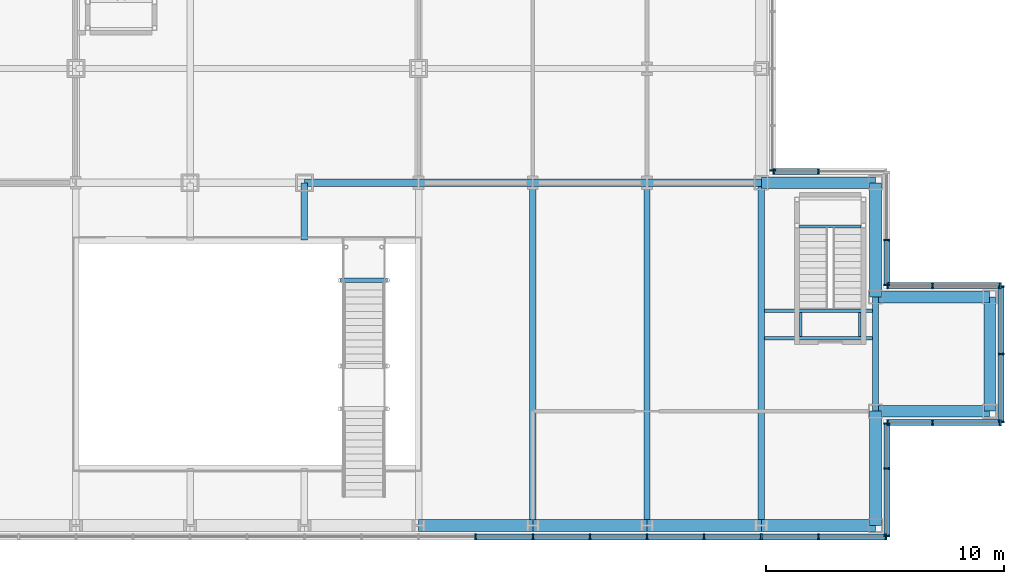
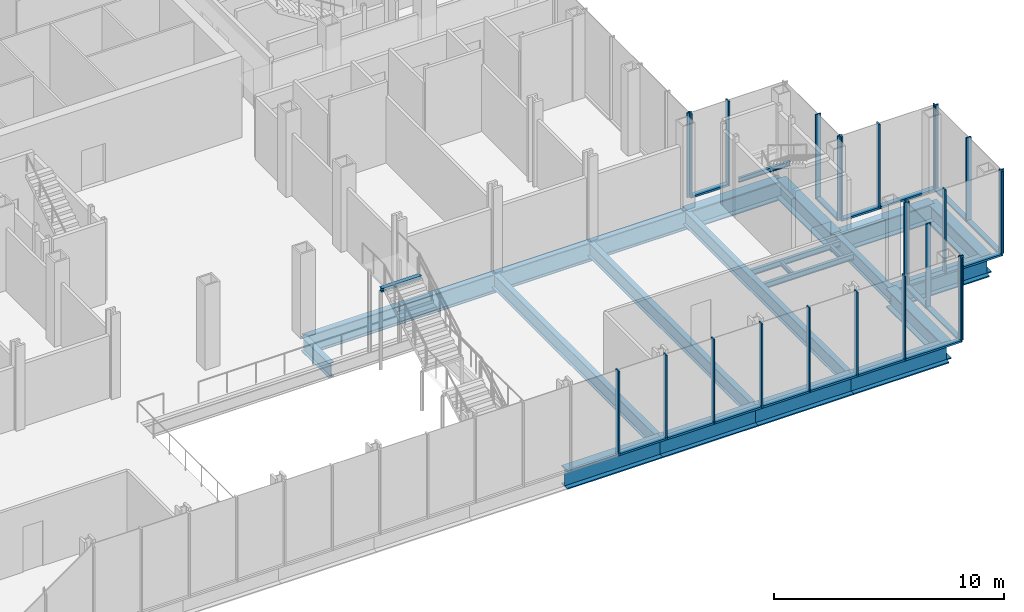
# One storey, part 13 of 28: 42 members, 25 beams, 8 elements without a shape of their own.
"""IFC4 building model written with IfcOpenShell, lengths in metres."""

from ifc_helpers import new_model, si_unit, direction, frame, origin, origin_2d, place, context, subcontext, project, spatial, rectangle, i_section, extrude, material, material_profile, profile_set, type_object, element, aggregate, save


model = new_model("IFC4")

# Units and contexts
model_context = context("Model", 3, precision=1e-05, world=origin(), true_north=direction((0.0, 1.0)))
body_context = subcontext(model_context, "Body", "Model", "MODEL_VIEW")
ifc_project = project(units=[si_unit("LENGTHUNIT", "METRE"), si_unit("AREAUNIT", "SQUARE_METRE"), si_unit("VOLUMEUNIT", "CUBIC_METRE"), si_unit("PLANEANGLEUNIT", "RADIAN"), si_unit("MASSUNIT", "GRAM", prefix="KILO")], contexts=[model_context])

# Site, building, storey
site_placement = place(None, origin())
site = spatial("IfcSite", under=ifc_project, at=site_placement, CompositionType="ELEMENT")
building_placement = place(site_placement, origin())
building = spatial("IfcBuilding", under=site, at=building_placement, Name="Kvirike Care Tower", CompositionType="ELEMENT")
storey_placement = place(building_placement, frame((0.0, 0.0, 4.5)))
storey = spatial("IfcBuildingStorey", under=building, at=storey_placement, Name="L01", CompositionType="ELEMENT", Elevation=4.5)

# Curtain wall, members
ifc_material_1 = material(Name="Anodised aluminium stick system", Category="aluminium")
curtain_wall_type = type_object("IfcCurtainWallType", Name="CW-P PODIUM STICK CURTAIN WALL", PredefinedType="NOTDEFINED", material=ifc_material_1)
curtain_wall_1_placement = place(storey_placement, origin())
curtain_wall_1 = element("IfcCurtainWall", 1, at=curtain_wall_1_placement, inside=storey, type_object=curtain_wall_type, Name="Curtain wall L01 face 1", PredefinedType="NOTDEFINED")
ifc_material_2 = material(Name="Bronze anodised aluminium mullion", Category="aluminium")
ifc_material_profile_1 = material_profile(ifc_material_2, rectangle(XDim=0.06494140625, YDim=0.25, at=origin_2d()), Name="CW-P MULLION 65x250")
ifc_profile_set_1 = profile_set([ifc_material_profile_1], Name="Bronze anodised aluminium mullion")
member_type_1 = type_object("IfcMemberType", Name="CW-P MULLION 65x250", PredefinedType="MULLION", material=ifc_profile_set_1)
member_1_placement = place(storey_placement, frame((31.199951171875, -0.47509765625, 0.0), z_axis=(0.0, 0.0, 1.0), x_axis=(1.0, 0.0, 0.0)))
member_1 = element("IfcMember", 2, at=member_1_placement, type_object=member_type_1, Name="CW-P mullion L01 face 1.16", PredefinedType="MULLION", context=body_context, shape_type="SweptSolid", body=[
    extrude(rectangle(XDim=0.06494140625, YDim=0.25, at=origin_2d()), origin(), (0.0, 0.0, 1.0), 4.5),
])
member_2_placement = place(storey_placement, frame((33.60009765625, -0.47509765625, 0.0), z_axis=(0.0, 0.0, 1.0), x_axis=(1.0, 0.0, 0.0)))
member_2 = element("IfcMember", 3, at=member_2_placement, type_object=member_type_1, Name="CW-P mullion L01 face 1.17", PredefinedType="MULLION", context=body_context, shape_type="SweptSolid", body=[
    extrude(rectangle(XDim=0.06494140625, YDim=0.25, at=origin_2d()), origin(), (0.0, 0.0, 1.0), 4.5),
])
member_3_placement = place(storey_placement, frame((36.0, -0.47509765625, 0.0), z_axis=(0.0, 0.0, 1.0), x_axis=(1.0, 0.0, 0.0)))
member_3 = element("IfcMember", 4, at=member_3_placement, type_object=member_type_1, Name="CW-P mullion L01 face 1.18", PredefinedType="MULLION", context=body_context, shape_type="SweptSolid", body=[
    extrude(rectangle(XDim=0.06494140625, YDim=0.25, at=origin_2d()), origin(), (0.0, 0.0, 1.0), 4.5),
])
member_4_placement = place(storey_placement, frame((38.39990234375, -0.47509765625, 0.0), z_axis=(0.0, 0.0, 1.0), x_axis=(1.0, 0.0, 0.0)))
member_4 = element("IfcMember", 5, at=member_4_placement, type_object=member_type_1, Name="CW-P mullion L01 face 1.19", PredefinedType="MULLION", context=body_context, shape_type="SweptSolid", body=[
    extrude(rectangle(XDim=0.06494140625, YDim=0.25, at=origin_2d()), origin(), (0.0, 0.0, 1.0), 4.5),
])
member_5_placement = place(storey_placement, frame((40.800048828125, -0.47509765625, 0.0), z_axis=(0.0, 0.0, 1.0), x_axis=(1.0, 0.0, 0.0)))
member_5 = element("IfcMember", 6, at=member_5_placement, type_object=member_type_1, Name="CW-P mullion L01 face 1.20", PredefinedType="MULLION", context=body_context, shape_type="SweptSolid", body=[
    extrude(rectangle(XDim=0.06494140625, YDim=0.25, at=origin_2d()), origin(), (0.0, 0.0, 1.0), 4.5),
])
member_6_placement = place(storey_placement, frame((43.199951171875, -0.47509765625, 0.0), z_axis=(0.0, 0.0, 1.0), x_axis=(1.0, 0.0, 0.0)))
member_6 = element("IfcMember", 7, at=member_6_placement, type_object=member_type_1, Name="CW-P mullion L01 face 1.21", PredefinedType="MULLION", context=body_context, shape_type="SweptSolid", body=[
    extrude(rectangle(XDim=0.06494140625, YDim=0.25, at=origin_2d()), origin(), (0.0, 0.0, 1.0), 4.5),
])
member_7_placement = place(storey_placement, frame((45.60009765625, -0.47509765625, 0.0), z_axis=(0.0, 0.0, 1.0), x_axis=(1.0, 0.0, 0.0)))
member_7 = element("IfcMember", 8, at=member_7_placement, type_object=member_type_1, Name="CW-P mullion L01 face 1.22", PredefinedType="MULLION", context=body_context, shape_type="SweptSolid", body=[
    extrude(rectangle(XDim=0.06494140625, YDim=0.25, at=origin_2d()), origin(), (0.0, 0.0, 1.0), 4.5),
])
member_8_placement = place(storey_placement, frame((48.4423828125, -0.47509765625, 0.0), z_axis=(0.0, 0.0, 1.0), x_axis=(1.0, 0.0, 0.0)))
member_8 = element("IfcMember", 9, at=member_8_placement, type_object=member_type_1, Name="CW-P mullion L01 face 1.23", PredefinedType="MULLION", context=body_context, shape_type="SweptSolid", body=[
    extrude(rectangle(XDim=0.06494140625, YDim=0.25, at=origin_2d()), origin(), (0.0, 0.0, 1.0), 4.5),
])

curtain_wall_2_placement = place(storey_placement, origin())
curtain_wall_2 = element("IfcCurtainWall", 10, at=curtain_wall_2_placement, inside=storey, type_object=curtain_wall_type, Name="Curtain wall L01 face 2", PredefinedType="NOTDEFINED")
member_9_placement = place(storey_placement, frame((48.47509765625, -0.4423828125, 0.0), z_axis=(0.0, 0.0, 1.0), x_axis=(0.0, 1.0, 0.0)))
member_9 = element("IfcMember", 11, at=member_9_placement, type_object=member_type_1, Name="CW-P mullion L01 face 2.1", PredefinedType="MULLION", context=body_context, shape_type="SweptSolid", body=[
    extrude(rectangle(XDim=0.06494140625, YDim=0.25, at=origin_2d()), origin(), (0.0, 0.0, 1.0), 4.5),
])
member_10_placement = place(storey_placement, frame((48.47509765625, 2.39990234375, 0.0), z_axis=(0.0, 0.0, 1.0), x_axis=(0.0, 1.0, 0.0)))
member_10 = element("IfcMember", 12, at=member_10_placement, type_object=member_type_1, Name="CW-P mullion L01 face 2.2", PredefinedType="MULLION", context=body_context, shape_type="SweptSolid", body=[
    extrude(rectangle(XDim=0.06494140625, YDim=0.25, at=origin_2d()), origin(), (0.0, 0.0, 1.0), 4.5),
])
member_11_placement = place(storey_placement, frame((48.47509765625, 4.29248046875, 0.0), z_axis=(0.0, 0.0, 1.0), x_axis=(0.0, 1.0, 0.0)))
member_11 = element("IfcMember", 13, at=member_11_placement, type_object=member_type_1, Name="CW-P mullion L01 face 2.3", PredefinedType="MULLION", context=body_context, shape_type="SweptSolid", body=[
    extrude(rectangle(XDim=0.06494140625, YDim=0.25, at=origin_2d()), origin(), (0.0, 0.0, 1.0), 4.5),
])

curtain_wall_3_placement = place(storey_placement, origin())
curtain_wall_3 = element("IfcCurtainWall", 14, at=curtain_wall_3_placement, inside=storey, type_object=curtain_wall_type, Name="Curtain wall L01 face 3", PredefinedType="NOTDEFINED")
member_12_placement = place(storey_placement, frame((48.507568359375, 4.324951171875, 0.0), z_axis=(0.0, 0.0, 1.0), x_axis=(1.0, 0.0, 0.0)))
member_12 = element("IfcMember", 15, at=member_12_placement, type_object=member_type_1, Name="CW-P mullion L01 face 3.1", PredefinedType="MULLION", context=body_context, shape_type="SweptSolid", body=[
    extrude(rectangle(XDim=0.06494140625, YDim=0.25, at=origin_2d()), origin(), (0.0, 0.0, 1.0), 4.5),
])
member_13_placement = place(storey_placement, frame((50.39990234375, 4.324951171875, 0.0), z_axis=(0.0, 0.0, 1.0), x_axis=(1.0, 0.0, 0.0)))
member_13 = element("IfcMember", 16, at=member_13_placement, type_object=member_type_1, Name="CW-P mullion L01 face 3.2", PredefinedType="MULLION", context=body_context, shape_type="SweptSolid", body=[
    extrude(rectangle(XDim=0.06494140625, YDim=0.25, at=origin_2d()), origin(), (0.0, 0.0, 1.0), 4.5),
])
member_14_placement = place(storey_placement, frame((53.242431640625, 4.324951171875, 0.0), z_axis=(0.0, 0.0, 1.0), x_axis=(1.0, 0.0, 0.0)))
member_14 = element("IfcMember", 17, at=member_14_placement, type_object=member_type_1, Name="CW-P mullion L01 face 3.3", PredefinedType="MULLION", context=body_context, shape_type="SweptSolid", body=[
    extrude(rectangle(XDim=0.06494140625, YDim=0.25, at=origin_2d()), origin(), (0.0, 0.0, 1.0), 4.5),
])

curtain_wall_4_placement = place(storey_placement, origin())
curtain_wall_4 = element("IfcCurtainWall", 18, at=curtain_wall_4_placement, inside=storey, type_object=curtain_wall_type, Name="Curtain wall L01 face 4", PredefinedType="NOTDEFINED")
member_15_placement = place(storey_placement, frame((53.27490234375, 4.357421875, 0.0), z_axis=(0.0, 0.0, 1.0), x_axis=(0.0, 1.0, 0.0)))
member_15 = element("IfcMember", 19, at=member_15_placement, type_object=member_type_1, Name="CW-P mullion L01 face 4.1", PredefinedType="MULLION", context=body_context, shape_type="SweptSolid", body=[
    extrude(rectangle(XDim=0.06494140625, YDim=0.25, at=origin_2d()), origin(), (0.0, 0.0, 1.0), 4.5),
])
member_16_placement = place(storey_placement, frame((53.27490234375, 7.199951171875, 0.0), z_axis=(0.0, 0.0, 1.0), x_axis=(0.0, 1.0, 0.0)))
member_16 = element("IfcMember", 20, at=member_16_placement, type_object=member_type_1, Name="CW-P mullion L01 face 4.2", PredefinedType="MULLION", context=body_context, shape_type="SweptSolid", body=[
    extrude(rectangle(XDim=0.06494140625, YDim=0.25, at=origin_2d()), origin(), (0.0, 0.0, 1.0), 4.5),
])
member_17_placement = place(storey_placement, frame((53.27490234375, 10.04248046875, 0.0), z_axis=(0.0, 0.0, 1.0), x_axis=(0.0, 1.0, 0.0)))
member_17 = element("IfcMember", 21, at=member_17_placement, type_object=member_type_1, Name="CW-P mullion L01 face 4.3", PredefinedType="MULLION", context=body_context, shape_type="SweptSolid", body=[
    extrude(rectangle(XDim=0.06494140625, YDim=0.25, at=origin_2d()), origin(), (0.0, 0.0, 1.0), 4.5),
])

curtain_wall_5_placement = place(storey_placement, origin())
curtain_wall_5 = element("IfcCurtainWall", 22, at=curtain_wall_5_placement, inside=storey, type_object=curtain_wall_type, Name="Curtain wall L01 face 5", PredefinedType="NOTDEFINED")
member_18_placement = place(storey_placement, frame((53.242431640625, 10.074951171875, 0.0), z_axis=(0.0, 0.0, 1.0), x_axis=(-1.0, 0.0, 0.0)))
member_18 = element("IfcMember", 23, at=member_18_placement, type_object=member_type_1, Name="CW-P mullion L01 face 5.1", PredefinedType="MULLION", context=body_context, shape_type="SweptSolid", body=[
    extrude(rectangle(XDim=0.06494140625, YDim=0.25, at=origin_2d()), origin(), (0.0, 0.0, 1.0), 4.5),
])
member_19_placement = place(storey_placement, frame((50.39990234375, 10.074951171875, 0.0), z_axis=(0.0, 0.0, 1.0), x_axis=(-1.0, 0.0, 0.0)))
member_19 = element("IfcMember", 24, at=member_19_placement, type_object=member_type_1, Name="CW-P mullion L01 face 5.2", PredefinedType="MULLION", context=body_context, shape_type="SweptSolid", body=[
    extrude(rectangle(XDim=0.06494140625, YDim=0.25, at=origin_2d()), origin(), (0.0, 0.0, 1.0), 4.5),
])
member_20_placement = place(storey_placement, frame((48.507568359375, 10.074951171875, 0.0), z_axis=(0.0, 0.0, 1.0), x_axis=(-1.0, 0.0, 0.0)))
member_20 = element("IfcMember", 25, at=member_20_placement, type_object=member_type_1, Name="CW-P mullion L01 face 5.3", PredefinedType="MULLION", context=body_context, shape_type="SweptSolid", body=[
    extrude(rectangle(XDim=0.06494140625, YDim=0.25, at=origin_2d()), origin(), (0.0, 0.0, 1.0), 4.5),
])

curtain_wall_6_placement = place(storey_placement, origin())
curtain_wall_6 = element("IfcCurtainWall", 26, at=curtain_wall_6_placement, inside=storey, type_object=curtain_wall_type, Name="Curtain wall L01 face 6", PredefinedType="NOTDEFINED")
member_21_placement = place(storey_placement, frame((48.47509765625, 10.107421875, 0.0), z_axis=(0.0, 0.0, 1.0), x_axis=(0.0, 1.0, 0.0)))
member_21 = element("IfcMember", 27, at=member_21_placement, type_object=member_type_1, Name="CW-P mullion L01 face 6.1", PredefinedType="MULLION", context=body_context, shape_type="SweptSolid", body=[
    extrude(rectangle(XDim=0.06494140625, YDim=0.25, at=origin_2d()), origin(), (0.0, 0.0, 1.0), 4.5),
])
member_22_placement = place(storey_placement, frame((48.47509765625, 12.0, 0.0), z_axis=(0.0, 0.0, 1.0), x_axis=(0.0, 1.0, 0.0)))
member_22 = element("IfcMember", 28, at=member_22_placement, type_object=member_type_1, Name="CW-P mullion L01 face 6.2", PredefinedType="MULLION", context=body_context, shape_type="SweptSolid", body=[
    extrude(rectangle(XDim=0.06494140625, YDim=0.25, at=origin_2d()), origin(), (0.0, 0.0, 1.0), 4.5),
])

curtain_wall_7_placement = place(storey_placement, origin())
curtain_wall_7 = element("IfcCurtainWall", 29, at=curtain_wall_7_placement, inside=storey, type_object=curtain_wall_type, Name="Curtain wall L01 face 7", PredefinedType="NOTDEFINED")
member_23_placement = place(storey_placement, frame((45.60009765625, 14.875, 0.0), z_axis=(0.0, 0.0, 1.0), x_axis=(-1.0, 0.0, 0.0)))
member_23 = element("IfcMember", 30, at=member_23_placement, type_object=member_type_1, Name="CW-P mullion L01 face 7.2", PredefinedType="MULLION", context=body_context, shape_type="SweptSolid", body=[
    extrude(rectangle(XDim=0.06494140625, YDim=0.25, at=origin_2d()), origin(), (0.0, 0.0, 1.0), 4.5),
])
member_24_placement = place(storey_placement, frame((43.70751953125, 14.875, 0.0), z_axis=(0.0, 0.0, 1.0), x_axis=(-1.0, 0.0, 0.0)))
member_24 = element("IfcMember", 31, at=member_24_placement, type_object=member_type_1, Name="CW-P mullion L01 face 7.3", PredefinedType="MULLION", context=body_context, shape_type="SweptSolid", body=[
    extrude(rectangle(XDim=0.06494140625, YDim=0.25, at=origin_2d()), origin(), (0.0, 0.0, 1.0), 4.5),
])

# Curtain wall, member
curtain_wall_8_placement = place(storey_placement, origin())
curtain_wall_8 = element("IfcCurtainWall", 32, at=curtain_wall_8_placement, inside=storey, type_object=curtain_wall_type, Name="Curtain wall L01 face 8", PredefinedType="NOTDEFINED")
member_25_placement = place(storey_placement, frame((43.675048828125, 14.907470703125, 0.0), z_axis=(0.0, 0.0, 1.0), x_axis=(0.0, 1.0, 0.0)))
member_25 = element("IfcMember", 33, at=member_25_placement, type_object=member_type_1, Name="CW-P mullion L01 face 8.1", PredefinedType="MULLION", context=body_context, shape_type="SweptSolid", body=[
    extrude(rectangle(XDim=0.06494140625, YDim=0.25, at=origin_2d()), origin(), (0.0, 0.0, 1.0), 4.5),
])
aggregate(curtain_wall_8, [member_25])

# Member
ifc_material_3 = material(Name="Bronze anodised aluminium transom", Category="aluminium")
ifc_material_profile_2 = material_profile(ifc_material_3, rectangle(XDim=0.25, YDim=0.10009765625, at=origin_2d()), Name="CW-P TRANSOM 250x100")
ifc_profile_set_2 = profile_set([ifc_material_profile_2], Name="Bronze anodised aluminium transom")
member_type_2 = type_object("IfcMemberType", Name="CW-P TRANSOM 250x100", PredefinedType="USERDEFINED", material=ifc_profile_set_2)
member_26_placement = place(storey_placement, frame((31.232421875, -0.47509765625, 0.050048828125), z_axis=(1.0, 0.0, 0.0), x_axis=(0.0, 1.0, 0.0)))
member_26 = element("IfcMember", 34, at=member_26_placement, type_object=member_type_2, Name="CW-P sill transom L01 face 1.16", ObjectType="TRANSOM", PredefinedType="USERDEFINED", context=body_context, shape_type="SweptSolid", body=[
    extrude(rectangle(XDim=0.25, YDim=0.10009765625, at=origin_2d()), origin(), (0.0, 0.0, 1.0), 2.3349609375),
])

member_27_placement = place(storey_placement, frame((33.632568359375, -0.47509765625, 0.050048828125), z_axis=(1.0, 0.0, 0.0), x_axis=(0.0, 1.0, 0.0)))
member_27 = element("IfcMember", 35, at=member_27_placement, type_object=member_type_2, Name="CW-P sill transom L01 face 1.17", ObjectType="TRANSOM", PredefinedType="USERDEFINED", context=body_context, shape_type="SweptSolid", body=[
    extrude(rectangle(XDim=0.25, YDim=0.10009765625, at=origin_2d()), origin(), (0.0, 0.0, 1.0), 2.3349609375),
])

member_28_placement = place(storey_placement, frame((36.032470703125, -0.47509765625, 0.050048828125), z_axis=(1.0, 0.0, 0.0), x_axis=(0.0, 1.0, 0.0)))
member_28 = element("IfcMember", 36, at=member_28_placement, type_object=member_type_2, Name="CW-P sill transom L01 face 1.18", ObjectType="TRANSOM", PredefinedType="USERDEFINED", context=body_context, shape_type="SweptSolid", body=[
    extrude(rectangle(XDim=0.25, YDim=0.10009765625, at=origin_2d()), origin(), (0.0, 0.0, 1.0), 2.3349609375),
])

member_29_placement = place(storey_placement, frame((38.4326171875, -0.47509765625, 0.050048828125), z_axis=(1.0, 0.0, 0.0), x_axis=(0.0, 1.0, 0.0)))
member_29 = element("IfcMember", 37, at=member_29_placement, type_object=member_type_2, Name="CW-P sill transom L01 face 1.19", ObjectType="TRANSOM", PredefinedType="USERDEFINED", context=body_context, shape_type="SweptSolid", body=[
    extrude(rectangle(XDim=0.25, YDim=0.10009765625, at=origin_2d()), origin(), (0.0, 0.0, 1.0), 2.3349609375),
])

member_30_placement = place(storey_placement, frame((40.83251953125, -0.47509765625, 0.050048828125), z_axis=(1.0, 0.0, 0.0), x_axis=(0.0, 1.0, 0.0)))
member_30 = element("IfcMember", 38, at=member_30_placement, type_object=member_type_2, Name="CW-P sill transom L01 face 1.20", ObjectType="TRANSOM", PredefinedType="USERDEFINED", context=body_context, shape_type="SweptSolid", body=[
    extrude(rectangle(XDim=0.25, YDim=0.10009765625, at=origin_2d()), origin(), (0.0, 0.0, 1.0), 2.3349609375),
])

member_31_placement = place(storey_placement, frame((43.232421875, -0.47509765625, 0.050048828125), z_axis=(1.0, 0.0, 0.0), x_axis=(0.0, 1.0, 0.0)))
member_31 = element("IfcMember", 39, at=member_31_placement, type_object=member_type_2, Name="CW-P sill transom L01 face 1.21", ObjectType="TRANSOM", PredefinedType="USERDEFINED", context=body_context, shape_type="SweptSolid", body=[
    extrude(rectangle(XDim=0.25, YDim=0.10009765625, at=origin_2d()), origin(), (0.0, 0.0, 1.0), 2.3349609375),
])

member_32_placement = place(storey_placement, frame((45.632568359375, -0.47509765625, 0.050048828125), z_axis=(1.0, 0.0, 0.0), x_axis=(0.0, 1.0, 0.0)))
member_32 = element("IfcMember", 40, at=member_32_placement, type_object=member_type_2, Name="CW-P sill transom L01 face 1.22", ObjectType="TRANSOM", PredefinedType="USERDEFINED", context=body_context, shape_type="SweptSolid", body=[
    extrude(rectangle(XDim=0.25, YDim=0.10009765625, at=origin_2d()), origin(), (0.0, 0.0, 1.0), 2.77734375),
])

aggregate(curtain_wall_1, [member_1, member_2, member_3, member_4, member_5, member_6, member_7, member_8, member_26, member_27, member_28, member_29, member_30, member_31, member_32])

member_33_placement = place(storey_placement, frame((48.47509765625, -0.409912109375, 0.050048828125), z_axis=(0.0, 1.0, 0.0), x_axis=(-1.0, 0.0, 0.0)))
member_33 = element("IfcMember", 41, at=member_33_placement, type_object=member_type_2, Name="CW-P sill transom L01 face 2.1", ObjectType="TRANSOM", PredefinedType="USERDEFINED", context=body_context, shape_type="SweptSolid", body=[
    extrude(rectangle(XDim=0.25, YDim=0.10009765625, at=origin_2d()), origin(), (0.0, 0.0, 1.0), 2.77734375),
])

member_34_placement = place(storey_placement, frame((48.47509765625, 2.4326171875, 0.050048828125), z_axis=(0.0, 1.0, 0.0), x_axis=(-1.0, 0.0, 0.0)))
member_34 = element("IfcMember", 42, at=member_34_placement, type_object=member_type_2, Name="CW-P sill transom L01 face 2.2", ObjectType="TRANSOM", PredefinedType="USERDEFINED", context=body_context, shape_type="SweptSolid", body=[
    extrude(rectangle(XDim=0.25, YDim=0.10009765625, at=origin_2d()), origin(), (0.0, 0.0, 1.0), 1.827392578125),
])

aggregate(curtain_wall_2, [member_9, member_10, member_11, member_33, member_34])

member_35_placement = place(storey_placement, frame((48.5400390625, 4.324951171875, 0.050048828125), z_axis=(1.0, 0.0, 0.0), x_axis=(0.0, 1.0, 0.0)))
member_35 = element("IfcMember", 43, at=member_35_placement, type_object=member_type_2, Name="CW-P sill transom L01 face 3.1", ObjectType="TRANSOM", PredefinedType="USERDEFINED", context=body_context, shape_type="SweptSolid", body=[
    extrude(rectangle(XDim=0.25, YDim=0.10009765625, at=origin_2d()), origin(), (0.0, 0.0, 1.0), 1.827392578125),
])

member_36_placement = place(storey_placement, frame((50.4326171875, 4.324951171875, 0.050048828125), z_axis=(1.0, 0.0, 0.0), x_axis=(0.0, 1.0, 0.0)))
member_36 = element("IfcMember", 44, at=member_36_placement, type_object=member_type_2, Name="CW-P sill transom L01 face 3.2", ObjectType="TRANSOM", PredefinedType="USERDEFINED", context=body_context, shape_type="SweptSolid", body=[
    extrude(rectangle(XDim=0.25, YDim=0.10009765625, at=origin_2d()), origin(), (0.0, 0.0, 1.0), 2.77734375),
])

aggregate(curtain_wall_3, [member_12, member_13, member_14, member_35, member_36])

member_37_placement = place(storey_placement, frame((53.27490234375, 4.389892578125, 0.050048828125), z_axis=(0.0, 1.0, 0.0), x_axis=(-1.0, 0.0, 0.0)))
member_37 = element("IfcMember", 45, at=member_37_placement, type_object=member_type_2, Name="CW-P sill transom L01 face 4.1", ObjectType="TRANSOM", PredefinedType="USERDEFINED", context=body_context, shape_type="SweptSolid", body=[
    extrude(rectangle(XDim=0.25, YDim=0.10009765625, at=origin_2d()), origin(), (0.0, 0.0, 1.0), 2.777587890625),
])

member_38_placement = place(storey_placement, frame((53.27490234375, 7.232421875, 0.050048828125), z_axis=(0.0, 1.0, 0.0), x_axis=(-1.0, 0.0, 0.0)))
member_38 = element("IfcMember", 46, at=member_38_placement, type_object=member_type_2, Name="CW-P sill transom L01 face 4.2", ObjectType="TRANSOM", PredefinedType="USERDEFINED", context=body_context, shape_type="SweptSolid", body=[
    extrude(rectangle(XDim=0.25, YDim=0.10009765625, at=origin_2d()), origin(), (0.0, 0.0, 1.0), 2.777587890625),
])

aggregate(curtain_wall_4, [member_15, member_16, member_17, member_37, member_38])

member_39_placement = place(storey_placement, frame((53.2099609375, 10.074951171875, 0.050048828125), z_axis=(-1.0, 0.0, 0.0), x_axis=(0.0, -1.0, 0.0)))
member_39 = element("IfcMember", 47, at=member_39_placement, type_object=member_type_2, Name="CW-P sill transom L01 face 5.1", ObjectType="TRANSOM", PredefinedType="USERDEFINED", context=body_context, shape_type="SweptSolid", body=[
    extrude(rectangle(XDim=0.25, YDim=0.10009765625, at=origin_2d()), origin(), (0.0, 0.0, 1.0), 2.77734375),
])

member_40_placement = place(storey_placement, frame((50.367431640625, 10.074951171875, 0.050048828125), z_axis=(-1.0, 0.0, 0.0), x_axis=(0.0, -1.0, 0.0)))
member_40 = element("IfcMember", 48, at=member_40_placement, type_object=member_type_2, Name="CW-P sill transom L01 face 5.2", ObjectType="TRANSOM", PredefinedType="USERDEFINED", context=body_context, shape_type="SweptSolid", body=[
    extrude(rectangle(XDim=0.25, YDim=0.10009765625, at=origin_2d()), origin(), (0.0, 0.0, 1.0), 1.827392578125),
])

aggregate(curtain_wall_5, [member_18, member_19, member_20, member_39, member_40])

member_41_placement = place(storey_placement, frame((48.47509765625, 10.139892578125, 0.050048828125), z_axis=(0.0, 1.0, 0.0), x_axis=(-1.0, 0.0, 0.0)))
member_41 = element("IfcMember", 49, at=member_41_placement, type_object=member_type_2, Name="CW-P sill transom L01 face 6.1", ObjectType="TRANSOM", PredefinedType="USERDEFINED", context=body_context, shape_type="SweptSolid", body=[
    extrude(rectangle(XDim=0.25, YDim=0.10009765625, at=origin_2d()), origin(), (0.0, 0.0, 1.0), 1.82763671875),
])

aggregate(curtain_wall_6, [member_21, member_22, member_41])

member_42_placement = place(storey_placement, frame((45.5673828125, 14.875, 0.050048828125), z_axis=(-1.0, 0.0, 0.0), x_axis=(0.0, -1.0, 0.0)))
member_42 = element("IfcMember", 50, at=member_42_placement, type_object=member_type_2, Name="CW-P sill transom L01 face 7.2", ObjectType="TRANSOM", PredefinedType="USERDEFINED", context=body_context, shape_type="SweptSolid", body=[
    extrude(rectangle(XDim=0.25, YDim=0.10009765625, at=origin_2d()), origin(), (0.0, 0.0, 1.0), 1.827392578125),
])

aggregate(curtain_wall_7, [member_23, member_24, member_42])

# Beams
ifc_material_4 = material(Name="Steel S355", Category="steel")
ifc_material_profile_3 = material_profile(ifc_material_4, i_section(OverallWidth=0.199951171875, OverallDepth=0.199951171875, WebThickness=0.009033203125, FlangeThickness=0.014892578125, FilletRadius=0.01806640625, at=origin_2d()), Name="HE 200 B")
ifc_profile_set_3 = profile_set([ifc_material_profile_3], Name="Steel S355")
beam_type_1 = type_object("IfcBeamType", Name="FEATURE STAIR TRIMMER HE 200 B", PredefinedType="BEAM", material=ifc_profile_set_3)
beam_1_placement = place(storey_placement, frame((25.5, 10.300048828125, 4.22998046875), z_axis=(1.0, 0.0, 0.0), x_axis=(0.0, 1.0, 0.0)))
element("IfcBeam", 51, at=beam_1_placement, inside=storey, type_object=beam_type_1, Name="Feature stair FB landing trimmer T", PredefinedType="BEAM", context=body_context, shape_type="SweptSolid", body=[
    extrude(i_section(OverallWidth=0.199951171875, OverallDepth=0.199951171875, WebThickness=0.009033203125, FlangeThickness=0.014892578125, FilletRadius=0.01806640625, at=origin_2d()), origin(), (0.0, 0.0, 1.0), 2.0),
])
ifc_material_5 = material(Name="Steel S355", Category="steel")
ifc_material_profile_4 = material_profile(ifc_material_5, i_section(OverallWidth=0.26806640625, OverallDepth=0.77001953125, WebThickness=0.015625, FlangeThickness=0.025390625, FilletRadius=0.01708984375, at=origin_2d()), Name="IPE 750x196")
ifc_profile_set_4 = profile_set([ifc_material_profile_4], Name="Steel S355")
beam_type_2 = type_object("IfcBeamType", Name="FLOOR BEAM IPE 750x196", PredefinedType="BEAM", material=ifc_profile_set_4)
beam_2_placement = place(storey_placement, frame((24.0, 12.0, -0.554931640625), z_axis=(0.0, 1.0, 0.0), x_axis=(-1.0, 0.0, 0.0)))
element("IfcBeam", 52, at=beam_2_placement, inside=storey, type_object=beam_type_2, Name="Floor Beam 24.00/12.00-D8 L01", PredefinedType="BEAM", context=body_context, shape_type="SweptSolid", body=[
    extrude(i_section(OverallWidth=0.26806640625, OverallDepth=0.77001953125, WebThickness=0.015625, FlangeThickness=0.025390625, FilletRadius=0.01708984375, at=origin_2d()), origin(), (0.0, 0.0, 1.0), 2.39990234375),
])
for number, where, z_axis, x_axis, name in (
    (53, (33.60009765625, 0.0, -0.554931640625), (0.0, 1.0, 0.0), (-1.0, 0.0, 0.0), "Floor Beam A10-D10 L01"),
    (54, (38.39990234375, 0.0, -0.554931640625), (0.0, 1.0, 0.0), (-1.0, 0.0, 0.0), "Floor Beam A11-D11 L01"),
    (55, (43.199951171875, 0.0, -0.554931640625), (0.0, 1.0, 0.0), (-1.0, 0.0, 0.0), "Floor Beam A12-D12 L01"),
):
    element("IfcBeam", number, at=place(storey_placement, frame(where, z_axis=z_axis, x_axis=x_axis)), inside=storey, type_object=beam_type_2, Name=name, PredefinedType="BEAM", context=body_context, shape_type="SweptSolid", body=[
        extrude(i_section(OverallWidth=0.26806640625, OverallDepth=0.77001953125, WebThickness=0.015625, FlangeThickness=0.025390625, FilletRadius=0.01708984375, at=origin_2d()), origin(), (0.0, 0.0, 1.0), 14.39990234375),
    ])
beam_3_placement = place(storey_placement, frame((48.0, 4.800048828125, -0.554931640625), z_axis=(0.0, 1.0, 0.0), x_axis=(-1.0, 0.0, 0.0)))
element("IfcBeam", 56, at=beam_3_placement, inside=storey, type_object=beam_type_2, Name="Floor Beam B13-C13 L01", PredefinedType="BEAM", context=body_context, shape_type="SweptSolid", body=[
    extrude(i_section(OverallWidth=0.26806640625, OverallDepth=0.77001953125, WebThickness=0.015625, FlangeThickness=0.025390625, FilletRadius=0.01708984375, at=origin_2d()), origin(), (0.0, 0.0, 1.0), 4.800048828125),
])
ifc_material_6 = material(Name="Steel S355", Category="steel")
ifc_material_profile_5 = material_profile(ifc_material_6, i_section(OverallWidth=0.300048828125, OverallDepth=1.0, WebThickness=0.01904296875, FlangeThickness=0.035888671875, FilletRadius=0.030029296875, at=origin_2d()), Name="HE 1000 B")
ifc_profile_set_5 = profile_set([ifc_material_profile_5], Name="Steel S355")
beam_type_3 = type_object("IfcBeamType", Name="FRAME BEAM HE 1000 B", PredefinedType="BEAM", material=ifc_profile_set_5)
for number, where, z_axis, x_axis, name in (
    (57, (24.0, 14.39990234375, -0.669921875), (1.0, 0.0, 0.0), (0.0, 1.0, 0.0), "Frame Beam D8-D9 L01"),
    (58, (28.800048828125, 14.39990234375, -0.669921875), (1.0, 0.0, 0.0), (0.0, 1.0, 0.0), "Frame Beam D9-D10 L01"),
):
    element("IfcBeam", number, at=place(storey_placement, frame(where, z_axis=z_axis, x_axis=x_axis)), inside=storey, type_object=beam_type_3, Name=name, PredefinedType="BEAM", context=body_context, shape_type="SweptSolid", body=[
        extrude(i_section(OverallWidth=0.300048828125, OverallDepth=1.0, WebThickness=0.01904296875, FlangeThickness=0.035888671875, FilletRadius=0.030029296875, at=origin_2d()), origin(), (0.0, 0.0, 1.0), 4.800048828125),
    ])
beam_4_placement = place(storey_placement, frame((33.60009765625, 14.39990234375, -0.669921875), z_axis=(1.0, 0.0, 0.0), x_axis=(0.0, 1.0, 0.0)))
element("IfcBeam", 59, at=beam_4_placement, inside=storey, type_object=beam_type_3, Name="Frame Beam D10-D11 L01", PredefinedType="BEAM", context=body_context, shape_type="SweptSolid", body=[
    extrude(i_section(OverallWidth=0.300048828125, OverallDepth=1.0, WebThickness=0.01904296875, FlangeThickness=0.035888671875, FilletRadius=0.030029296875, at=origin_2d()), origin(), (0.0, 0.0, 1.0), 4.7998046875),
])
beam_5_placement = place(storey_placement, frame((38.39990234375, 14.39990234375, -0.669921875), z_axis=(1.0, 0.0, 0.0), x_axis=(0.0, 1.0, 0.0)))
element("IfcBeam", 60, at=beam_5_placement, inside=storey, type_object=beam_type_3, Name="Frame Beam D11-D12 L01", PredefinedType="BEAM", context=body_context, shape_type="SweptSolid", body=[
    extrude(i_section(OverallWidth=0.300048828125, OverallDepth=1.0, WebThickness=0.01904296875, FlangeThickness=0.035888671875, FilletRadius=0.030029296875, at=origin_2d()), origin(), (0.0, 0.0, 1.0), 4.800048828125),
])
ifc_material_7 = material(Name="Steel S355", Category="steel")
ifc_material_profile_6 = material_profile(ifc_material_7, i_section(OverallWidth=0.5, OverallDepth=1.0, WebThickness=0.030029296875, FlangeThickness=0.06005859375, at=origin_2d()), Name="PG 1000x500x30x60")
ifc_profile_set_6 = profile_set([ifc_material_profile_6], Name="Steel S355")
beam_type_4 = type_object("IfcBeamType", Name="SPANDREL PG 1000x500x30x60", PredefinedType="SPANDREL", material=ifc_profile_set_6)
beam_6_placement = place(storey_placement, frame((28.800048828125, 0.0, -0.669921875), z_axis=(1.0, 0.0, 0.0), x_axis=(0.0, 1.0, 0.0)))
element("IfcBeam", 61, at=beam_6_placement, inside=storey, type_object=beam_type_4, Name="Spandrel A9-A10 L01", PredefinedType="SPANDREL", context=body_context, shape_type="SweptSolid", body=[
    extrude(i_section(OverallWidth=0.5, OverallDepth=1.0, WebThickness=0.030029296875, FlangeThickness=0.06005859375, at=origin_2d()), origin(), (0.0, 0.0, 1.0), 4.800048828125),
])
beam_7_placement = place(storey_placement, frame((33.60009765625, 0.0, -0.669921875), z_axis=(1.0, 0.0, 0.0), x_axis=(0.0, 1.0, 0.0)))
element("IfcBeam", 62, at=beam_7_placement, inside=storey, type_object=beam_type_4, Name="Spandrel A10-A11 L01", PredefinedType="SPANDREL", context=body_context, shape_type="SweptSolid", body=[
    extrude(i_section(OverallWidth=0.5, OverallDepth=1.0, WebThickness=0.030029296875, FlangeThickness=0.06005859375, at=origin_2d()), origin(), (0.0, 0.0, 1.0), 4.7998046875),
])
for number, where, z_axis, x_axis, name in (
    (63, (38.39990234375, 0.0, -0.669921875), (1.0, 0.0, 0.0), (0.0, 1.0, 0.0), "Spandrel A11-A12 L01"),
    (64, (43.199951171875, 0.0, -0.669921875), (1.0, 0.0, 0.0), (0.0, 1.0, 0.0), "Spandrel A12-A13 L01"),
    (65, (48.0, 4.800048828125, -0.669921875), (1.0, 0.0, 0.0), (0.0, 1.0, 0.0), "Spandrel B13-B14 L01"),
    (66, (48.0, 9.60009765625, -0.669921875), (1.0, 0.0, 0.0), (0.0, 1.0, 0.0), "Spandrel C13-C14 L01"),
    (67, (43.199951171875, 14.39990234375, -0.669921875), (1.0, 0.0, 0.0), (0.0, 1.0, 0.0), "Spandrel D12-D13 L01"),
    (68, (48.0, 0.0, -0.669921875), (0.0, 1.0, 0.0), (-1.0, 0.0, 0.0), "Spandrel A13-B13 L01"),
):
    element("IfcBeam", number, at=place(storey_placement, frame(where, z_axis=z_axis, x_axis=x_axis)), inside=storey, type_object=beam_type_4, Name=name, PredefinedType="SPANDREL", context=body_context, shape_type="SweptSolid", body=[
        extrude(i_section(OverallWidth=0.5, OverallDepth=1.0, WebThickness=0.030029296875, FlangeThickness=0.06005859375, at=origin_2d()), origin(), (0.0, 0.0, 1.0), 4.800048828125),
    ])
beam_8_placement = place(storey_placement, frame((48.0, 9.60009765625, -0.669921875), z_axis=(0.0, 1.0, 0.0), x_axis=(-1.0, 0.0, 0.0)))
element("IfcBeam", 69, at=beam_8_placement, inside=storey, type_object=beam_type_4, Name="Spandrel C13-D13 L01", PredefinedType="SPANDREL", context=body_context, shape_type="SweptSolid", body=[
    extrude(i_section(OverallWidth=0.5, OverallDepth=1.0, WebThickness=0.030029296875, FlangeThickness=0.06005859375, at=origin_2d()), origin(), (0.0, 0.0, 1.0), 4.7998046875),
])
beam_9_placement = place(storey_placement, frame((52.800048828125, 4.800048828125, -0.669921875), z_axis=(0.0, 1.0, 0.0), x_axis=(-1.0, 0.0, 0.0)))
element("IfcBeam", 70, at=beam_9_placement, inside=storey, type_object=beam_type_4, Name="Spandrel B14-C14 L01", PredefinedType="SPANDREL", context=body_context, shape_type="SweptSolid", body=[
    extrude(i_section(OverallWidth=0.5, OverallDepth=1.0, WebThickness=0.030029296875, FlangeThickness=0.06005859375, at=origin_2d()), origin(), (0.0, 0.0, 1.0), 4.800048828125),
])
ifc_material_8 = material(Name="Steel S355", Category="steel")
ifc_material_profile_7 = material_profile(ifc_material_8, i_section(OverallWidth=0.1201171875, OverallDepth=0.239990234375, WebThickness=0.006103515625, FlangeThickness=0.009765625, FilletRadius=0.014892578125, at=origin_2d()), Name="IPE 240")
ifc_profile_set_7 = profile_set([ifc_material_profile_7], Name="Steel S355")
beam_type_5 = type_object("IfcBeamType", Name="STAIR LANDING BEAM IPE 240", PredefinedType="BEAM", material=ifc_profile_set_7)
beam_10_placement = place(storey_placement, frame((44.800048828125, 12.56005859375, 1.929931640625), z_axis=(1.0, 0.0, 0.0), x_axis=(0.0, 1.0, 0.0)))
element("IfcBeam", 71, at=beam_10_placement, inside=storey, type_object=beam_type_5, Name="Stair 4 landing beam front L01", PredefinedType="BEAM", context=body_context, shape_type="SweptSolid", body=[
    extrude(i_section(OverallWidth=0.1201171875, OverallDepth=0.239990234375, WebThickness=0.006103515625, FlangeThickness=0.009765625, FilletRadius=0.014892578125, at=origin_2d()), origin(), (0.0, 0.0, 1.0), 2.599853515625),
])
for number, where, z_axis, x_axis, name in (
    (72, (44.860107421875, 8.949951171875, -0.320068359375), (0.0, -1.0, 0.0), (1.0, 0.0, 0.0), "Stair 4 landing edge beam 1 L01"),
    (73, (47.340087890625, 8.949951171875, -0.320068359375), (0.0, -1.0, 0.0), (1.0, 0.0, 0.0), "Stair 4 landing edge beam 2 L01"),
):
    element("IfcBeam", number, at=place(storey_placement, frame(where, z_axis=z_axis, x_axis=x_axis)), inside=storey, type_object=beam_type_5, Name=name, PredefinedType="BEAM", context=body_context, shape_type="SweptSolid", body=[
        extrude(i_section(OverallWidth=0.1201171875, OverallDepth=0.239990234375, WebThickness=0.006103515625, FlangeThickness=0.009765625, FilletRadius=0.014892578125, at=origin_2d()), origin(), (0.0, 0.0, 1.0), 1.0),
    ])
ifc_material_9 = material(Name="Steel S355", Category="steel")
ifc_material_profile_8 = material_profile(ifc_material_9, i_section(OverallWidth=0.14990234375, OverallDepth=0.300048828125, WebThickness=0.007080078125, FlangeThickness=0.0107421875, FilletRadius=0.014892578125, at=origin_2d()), Name="IPE 300")
ifc_profile_set_8 = profile_set([ifc_material_profile_8], Name="Steel S355")
beam_type_6 = type_object("IfcBeamType", Name="STAIR TRIMMER IPE 300", PredefinedType="BEAM", material=ifc_profile_set_8)
for number, where, z_axis, x_axis, name in (
    (74, (43.333984375, 9.02490234375, -0.35009765625), (1.0, 0.0, 0.0), (0.0, 1.0, 0.0), "Stair 4 trimmer 1 L01"),
    (75, (43.333984375, 7.875, -0.35009765625), (1.0, 0.0, 0.0), (0.0, 1.0, 0.0), "Stair 4 trimmer 2 L01"),
):
    element("IfcBeam", number, at=place(storey_placement, frame(where, z_axis=z_axis, x_axis=x_axis)), inside=storey, type_object=beam_type_6, Name=name, PredefinedType="BEAM", context=body_context, shape_type="SweptSolid", body=[
        extrude(i_section(OverallWidth=0.14990234375, OverallDepth=0.300048828125, WebThickness=0.007080078125, FlangeThickness=0.0107421875, FilletRadius=0.014892578125, at=origin_2d()), origin(), (0.0, 0.0, 1.0), 4.531982421875),
    ])

save(model, "model.ifc")
